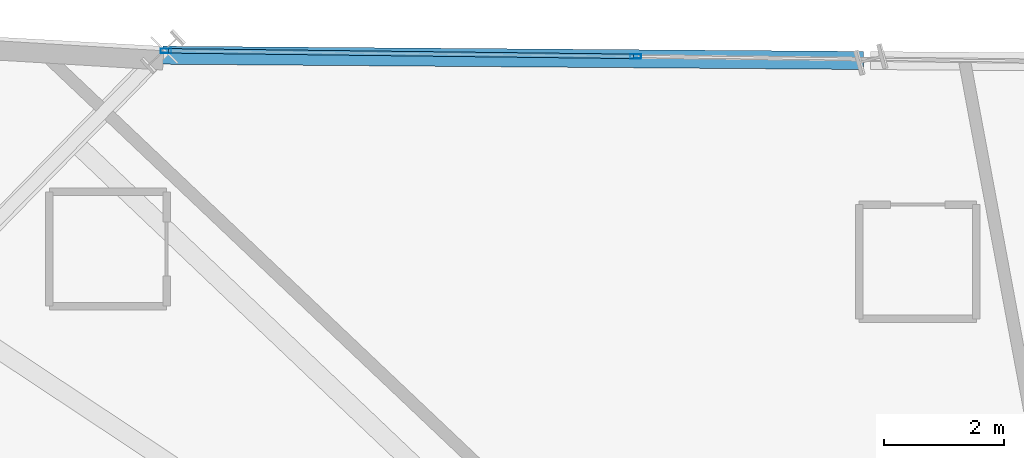
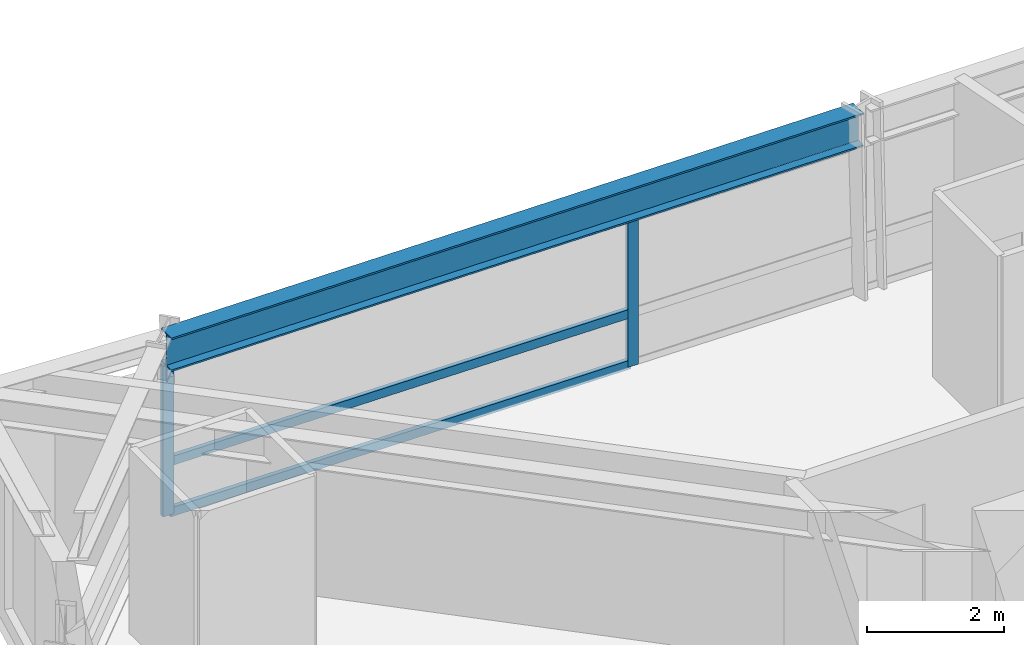
# One storey, part 6 of 21: 5 members, 1 beam, 1 element without a shape of its own.
"""IFC4 building model written with IfcOpenShell, lengths in metres."""

from ifc_helpers import new_model, si_unit, direction, frame, origin, origin_2d, place, context, subcontext, project, spatial, hollow_rectangle, i_section, extrude, source, transform, mapped, material, material_profile, profile_set, type_object, element, aggregate, save


model = new_model("IFC4")

# Units and contexts
model_context = context("Model", 3, precision=1e-05, world=origin(), true_north=direction((0.0, 1.0)))
body_context = subcontext(model_context, "Body", "Model", "MODEL_VIEW")
ifc_project = project(units=[si_unit("LENGTHUNIT", "METRE"), si_unit("AREAUNIT", "SQUARE_METRE"), si_unit("VOLUMEUNIT", "CUBIC_METRE"), si_unit("PLANEANGLEUNIT", "RADIAN"), si_unit("MASSUNIT", "GRAM", prefix="KILO")], contexts=[model_context])

# Site, building, storey
site_placement = place(None, origin())
site = spatial("IfcSite", under=ifc_project, at=site_placement, CompositionType="ELEMENT")
building_placement = place(site_placement, origin())
building = spatial("IfcBuilding", under=site, at=building_placement, Name="Olszyna Solenne Hotel", CompositionType="ELEMENT")
storey_placement = place(building_placement, frame((0.0, 0.0, 91.5)))
storey = spatial("IfcBuildingStorey", under=building, at=storey_placement, Name="L23", CompositionType="ELEMENT", Elevation=91.5)

# Beam
ifc_material_1 = material(Name="Steel S355J2", Category="steel")
ifc_material_profile_1 = material_profile(ifc_material_1, i_section(OverallWidth=0.300048828125, OverallDepth=0.60009765625, WebThickness=0.015380859375, FlangeThickness=0.030029296875, at=origin_2d()), Name="HEB 600", Category="load-bearing")
ifc_profile_set_1 = profile_set([ifc_material_profile_1], Name="Steel S355J2")
beam_type = type_object("IfcBeamType", Name="BM-S2", PredefinedType="BEAM", material=ifc_profile_set_1)
shared_shape_1 = source(origin(), body_context, "Body", "SweptSolid", [
    extrude(i_section(OverallWidth=0.300048828125, OverallDepth=0.60009765625, WebThickness=0.015380859375, FlangeThickness=0.030029296875, at=origin_2d()), origin(), (0.0, 0.0, 1.0), 11.6513671875),
])
beam_placement = place(storey_placement, frame((33.06494140625, 44.070068359375, 3.0), z_axis=(-0.999971390498, 0.007564270309, 0.0), x_axis=(-0.007564270309, -0.999971390498, 0.0)))
element("IfcBeam", 1, at=beam_placement, inside=storey, type_object=beam_type, Name="Perimeter spandrel beam BM-S2 B-L23-0694", PredefinedType="BEAM", context=body_context, shape_type="MappedRepresentation", body=[
    mapped(shared_shape_1, transform((0.0, 0.0, 0.0), x_axis=(1.0, 0.0, 0.0), y_axis=(0.0, 1.0, 0.0), z_axis=(0.0, 0.0, 1.0), scale=1.0)),
])

# Curtain wall, members
ifc_material_2 = material(Name="Anodised bronze aluminium", Category="aluminium")
curtain_wall_type = type_object("IfcCurtainWallType", Name="CW-SYS-3", PredefinedType="NOTDEFINED", material=ifc_material_2)
curtain_wall_placement = place(storey_placement, origin())
curtain_wall = element("IfcCurtainWall", 2, at=curtain_wall_placement, inside=storey, type_object=curtain_wall_type, Name="Unitised curtain wall CW-SYS-3 CW-L23-02", PredefinedType="NOTDEFINED")
ifc_material_profile_2 = material_profile(ifc_material_2, hollow_rectangle(XDim=0.074951171875, YDim=0.159912109375, WallThickness=0.00390625, at=origin_2d()), Name="TRAN 160x75x4", Category="load-bearing")
ifc_profile_set_2 = profile_set([ifc_material_profile_2], Name="Anodised bronze aluminium")
member_type_1 = type_object("IfcMemberType", Name="CW-T1", PredefinedType="USERDEFINED", material=ifc_profile_set_2)
shared_shape_2 = source(origin(), body_context, "Body", "SweptSolid", [
    extrude(hollow_rectangle(XDim=0.074951171875, YDim=0.159912109375, WallThickness=0.00390625, at=origin_2d()), origin(), (0.0, 0.0, 1.0), 7.735107421875),
])
member_1_placement = place(storey_placement, frame((21.505615234375, 44.230224609375, 0.03759765625), z_axis=(0.99992882795, -0.011930592373, 0.0), x_axis=(0.011930592373, 0.99992882795, 0.0)))
member_1 = element("IfcMember", 3, at=member_1_placement, type_object=member_type_1, Name="Curtain-wall transom CW-T1 CT-L23-02-01", ObjectType="TRANSOM", PredefinedType="USERDEFINED", context=body_context, shape_type="MappedRepresentation", body=[
    mapped(shared_shape_2, transform((0.0, 0.0, 0.0), x_axis=(1.0, 0.0, 0.0), y_axis=(0.0, 1.0, 0.0), z_axis=(0.0, 0.0, 1.0), scale=1.0)),
])
member_2_placement = place(storey_placement, frame((21.505615234375, 44.230224609375, 0.949951171875), z_axis=(0.99992882795, -0.011930592373, 0.0), x_axis=(0.011930592373, 0.99992882795, 0.0)))
member_2 = element("IfcMember", 4, at=member_2_placement, type_object=member_type_1, Name="Curtain-wall transom CW-T1 CT-L23-02-02", ObjectType="TRANSOM", PredefinedType="USERDEFINED", context=body_context, shape_type="MappedRepresentation", body=[
    mapped(shared_shape_2, transform((0.0, 0.0, 0.0), x_axis=(1.0, 0.0, 0.0), y_axis=(0.0, 1.0, 0.0), z_axis=(0.0, 0.0, 1.0), scale=1.0)),
])
member_3_placement = place(storey_placement, frame((21.505615234375, 44.230224609375, 2.654541015625), z_axis=(0.99992882795, -0.011930592373, 0.0), x_axis=(0.011930592373, 0.99992882795, 0.0)))
member_3 = element("IfcMember", 5, at=member_3_placement, type_object=member_type_1, Name="Curtain-wall transom CW-T1 CT-L23-02-03", ObjectType="TRANSOM", PredefinedType="USERDEFINED", context=body_context, shape_type="MappedRepresentation", body=[
    mapped(shared_shape_2, transform((0.0, 0.0, 0.0), x_axis=(1.0, 0.0, 0.0), y_axis=(0.0, 1.0, 0.0), z_axis=(0.0, 0.0, 1.0), scale=1.0)),
])
ifc_material_profile_3 = material_profile(ifc_material_2, hollow_rectangle(XDim=0.074951171875, YDim=0.179931640625, WallThickness=0.00439453125, at=origin_2d()), Name="MULL 180x75x4.5", Category="load-bearing")
ifc_profile_set_3 = profile_set([ifc_material_profile_3], Name="Anodised bronze aluminium")
member_type_2 = type_object("IfcMemberType", Name="CW-M2", PredefinedType="MULLION", material=ifc_profile_set_3)
shared_shape_3 = source(origin(), body_context, "Body", "SweptSolid", [
    extrude(hollow_rectangle(XDim=0.074951171875, YDim=0.179931640625, WallThickness=0.00439453125, at=origin_2d()), origin(), (0.0, 0.0, 1.0), 2.69189453125),
])
member_4_placement = place(storey_placement, frame((21.468017578125, 44.23046875, 0.0), z_axis=(0.0, 0.0, 1.0), x_axis=(0.011926972982, 0.999928871128, 0.0)))
member_4 = element("IfcMember", 6, at=member_4_placement, type_object=member_type_2, Name="Curtain-wall mullion CW-M2 CM-L23-02-01", PredefinedType="MULLION", context=body_context, shape_type="MappedRepresentation", body=[
    mapped(shared_shape_3, transform((0.0, 0.0, 0.0), x_axis=(1.0, 0.0, 0.0), y_axis=(0.0, 1.0, 0.0), z_axis=(0.0, 0.0, 1.0), scale=1.0)),
])
member_5_placement = place(storey_placement, frame((29.277587890625, 44.137451171875, 0.0), z_axis=(0.0, 0.0, 1.0), x_axis=(0.011926972982, 0.999928871128, 0.0)))
member_5 = element("IfcMember", 7, at=member_5_placement, type_object=member_type_2, Name="Curtain-wall mullion CW-M2 CM-L23-02-02", PredefinedType="MULLION", context=body_context, shape_type="MappedRepresentation", body=[
    mapped(shared_shape_3, transform((0.0, 0.0, 0.0), x_axis=(1.0, 0.0, 0.0), y_axis=(0.0, 1.0, 0.0), z_axis=(0.0, 0.0, 1.0), scale=1.0)),
])
aggregate(curtain_wall, [member_4, member_5, member_1, member_2, member_3])

save(model, "model.ifc")
